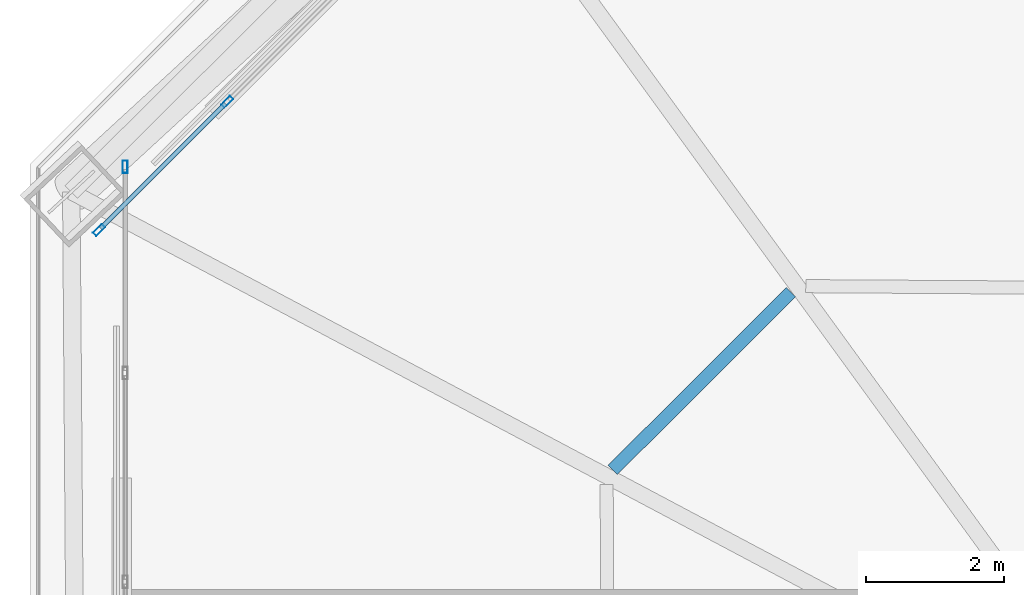
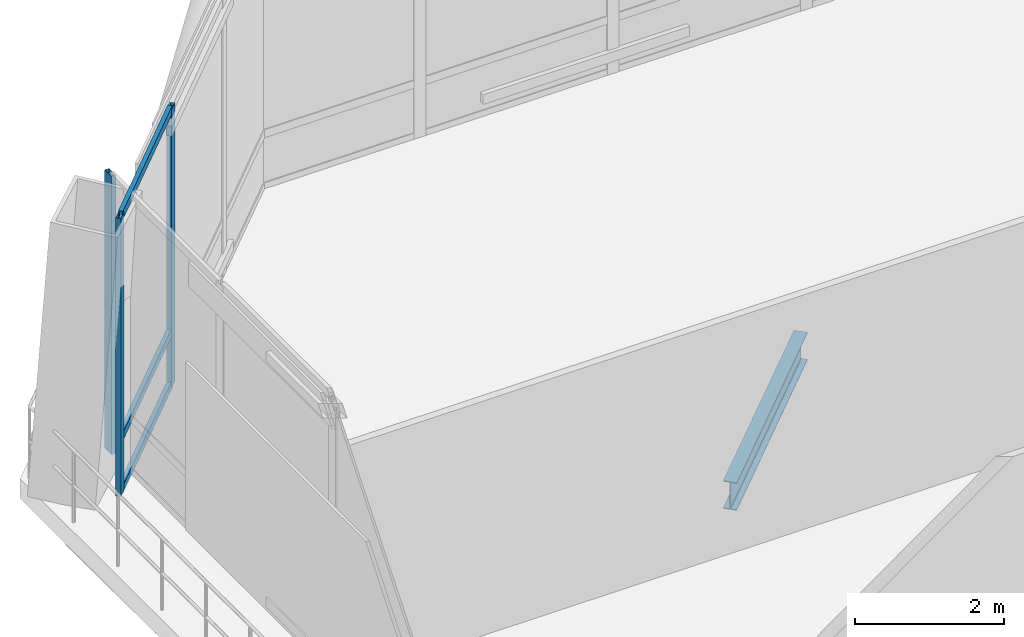
# One storey, part 31 of 48: 6 members, 1 beam, 2 elements without a shape of their own.
"""IFC4 building model written with IfcOpenShell, lengths in metres."""

from ifc_helpers import new_model, si_unit, direction, frame, origin, origin_2d, place, context, subcontext, project, spatial, hollow_rectangle, i_section, extrude, material, layer, layer_set, material_profile, profile_set, type_object, element, aggregate, save


model = new_model("IFC4")

# Units and contexts
model_context = context("Model", 3, precision=1e-05, world=origin(), true_north=direction((0.0, 1.0)))
body_context = subcontext(model_context, "Body", "Model", "MODEL_VIEW")
ifc_project = project(units=[si_unit("LENGTHUNIT", "METRE"), si_unit("AREAUNIT", "SQUARE_METRE"), si_unit("VOLUMEUNIT", "CUBIC_METRE"), si_unit("PLANEANGLEUNIT", "RADIAN"), si_unit("MASSUNIT", "GRAM", prefix="KILO")], contexts=[model_context])

# Site, building, storey
site_placement = place(None, origin())
site = spatial("IfcSite", under=ifc_project, at=site_placement, CompositionType="ELEMENT")
building_placement = place(site_placement, origin())
building = spatial("IfcBuilding", under=site, at=building_placement, Name="Caelvoria Tower", CompositionType="ELEMENT")
storey_placement = place(building_placement, frame((0.0, 0.0, 90.39990234375)))
storey = spatial("IfcBuildingStorey", under=building, at=storey_placement, Name="L23", CompositionType="ELEMENT", Elevation=90.39990234375)

# Curtain wall, members
ifc_material_1 = material(Name="Anodised Bronze Aluminium and Low-E Glass", Category="aluminium")
ifc_layer = layer(ifc_material_1, 0.2099609375, Name="Anodised Bronze Aluminium and Low-E Glass")
ifc_layer_set = layer_set([ifc_layer], Name="CW System 3 Sky Lobby Double-Height Acoustic Facade - Anodised Bronze Aluminium and Low-E Glass")
curtain_wall_type = type_object("IfcCurtainWallType", Name="CW System 3 Sky Lobby Double-Height Acoustic Facade", PredefinedType="NOTDEFINED", material=ifc_layer_set)
curtain_wall_1_placement = place(storey_placement, origin())
curtain_wall_1 = element("IfcCurtainWall", 1, at=curtain_wall_1_placement, inside=storey, type_object=curtain_wall_type, Name="CW-03 Curtain Wall L23-E5", PredefinedType="NOTDEFINED")
ifc_material_2 = material(Name="Anodised Bronze Architectural Aluminium", Category="aluminium")
ifc_material_profile_1 = material_profile(ifc_material_2, hollow_rectangle(XDim=0.070068359375, YDim=0.179931640625, WallThickness=0.00390625, at=origin_2d()), Name="Anodised Bronze Architectural Aluminium")
ifc_profile_set_1 = profile_set([ifc_material_profile_1], Name="CW_MULL_70X180 - Anodised Bronze Architectural Aluminium")
member_type_1 = type_object("IfcMemberType", Name="Curtain Wall Mullion 70x180 Bronze Aluminium", PredefinedType="MULLION", material=ifc_profile_set_1)
member_1_placement = place(storey_placement, frame((23.742431640625, 49.540771484375, 0.0), z_axis=(0.0, 0.0, 1.0), x_axis=(0.707106781187, -0.707106781187, 0.0)))
member_1 = element("IfcMember", 2, at=member_1_placement, type_object=member_type_1, Name="CW-03 mullion 3", PredefinedType="MULLION", context=body_context, shape_type="SweptSolid", body=[
    extrude(hollow_rectangle(XDim=0.070068359375, YDim=0.179931640625, WallThickness=0.00390625, at=origin_2d()), origin(), (0.0, 0.0, 1.0), 4.56005859375),
])
member_2_placement = place(storey_placement, frame((21.8837890625, 47.68212890625, 0.0), z_axis=(0.0, 0.0, 1.0), x_axis=(0.707106781187, -0.707106781187, 0.0)))
member_2 = element("IfcMember", 3, at=member_2_placement, type_object=member_type_1, Name="CW-03 mullion 4", PredefinedType="MULLION", context=body_context, shape_type="SweptSolid", body=[
    extrude(hollow_rectangle(XDim=0.070068359375, YDim=0.179931640625, WallThickness=0.00390625, at=origin_2d()), origin(), (0.0, 0.0, 1.0), 4.56005859375),
])

# Curtain wall, member
curtain_wall_2_placement = place(storey_placement, origin())
curtain_wall_2 = element("IfcCurtainWall", 4, at=curtain_wall_2_placement, inside=storey, type_object=curtain_wall_type, Name="CW-03 Curtain Wall L23-E6", PredefinedType="NOTDEFINED")
member_3_placement = place(storey_placement, frame((22.26318359375, 48.598388671875, 0.0), z_axis=(0.0, 0.0, 1.0), x_axis=(1.0, 0.0, 0.0)))
member_3 = element("IfcMember", 5, at=member_3_placement, type_object=member_type_1, Name="CW-03 mullion 1", PredefinedType="MULLION", context=body_context, shape_type="SweptSolid", body=[
    extrude(hollow_rectangle(XDim=0.070068359375, YDim=0.179931640625, WallThickness=0.00390625, at=origin_2d()), origin(), (0.0, 0.0, 1.0), 4.56005859375),
])
aggregate(curtain_wall_2, [member_3])

# Member
ifc_material_profile_2 = material_profile(ifc_material_2, hollow_rectangle(XDim=0.06494140625, YDim=0.1298828125, WallThickness=0.00341796875, at=origin_2d()), Name="Anodised Bronze Architectural Aluminium")
ifc_profile_set_2 = profile_set([ifc_material_profile_2], Name="CW_TRAN_65X130 - Anodised Bronze Architectural Aluminium")
member_type_2 = type_object("IfcMemberType", Name="Curtain Wall Transom 65x130 Bronze Aluminium", PredefinedType="USERDEFINED", material=ifc_profile_set_2)
member_4_placement = place(storey_placement, frame((23.7177734375, 49.51611328125, 0.03271484375), z_axis=(-0.707106781187, -0.707106781187, 0.0), x_axis=(0.707106781187, -0.707106781187, 0.0)))
member_4 = element("IfcMember", 6, at=member_4_placement, type_object=member_type_2, Name="CW-03 transom 3.1", ObjectType="TRANSOM", PredefinedType="USERDEFINED", context=body_context, shape_type="SweptSolid", body=[
    extrude(hollow_rectangle(XDim=0.06494140625, YDim=0.1298828125, WallThickness=0.00341796875, at=origin_2d()), origin(), (0.0, 0.0, 1.0), 2.558349609375),
])

member_5_placement = place(storey_placement, frame((23.7177734375, 49.51611328125, 0.900146484375), z_axis=(-0.707106781187, -0.707106781187, 0.0), x_axis=(0.707106781187, -0.707106781187, 0.0)))
member_5 = element("IfcMember", 7, at=member_5_placement, type_object=member_type_2, Name="CW-03 transom 3.2", ObjectType="TRANSOM", PredefinedType="USERDEFINED", context=body_context, shape_type="SweptSolid", body=[
    extrude(hollow_rectangle(XDim=0.06494140625, YDim=0.1298828125, WallThickness=0.00341796875, at=origin_2d()), origin(), (0.0, 0.0, 1.0), 2.558349609375),
])

member_6_placement = place(storey_placement, frame((23.7177734375, 49.51611328125, 4.527587890625), z_axis=(-0.707106781187, -0.707106781187, 0.0), x_axis=(0.707106781187, -0.707106781187, 0.0)))
member_6 = element("IfcMember", 8, at=member_6_placement, type_object=member_type_2, Name="CW-03 transom 3.3", ObjectType="TRANSOM", PredefinedType="USERDEFINED", context=body_context, shape_type="SweptSolid", body=[
    extrude(hollow_rectangle(XDim=0.06494140625, YDim=0.1298828125, WallThickness=0.00341796875, at=origin_2d()), origin(), (0.0, 0.0, 1.0), 2.558349609375),
])

aggregate(curtain_wall_1, [member_1, member_2, member_4, member_5, member_6])

# Beam
ifc_material_3 = material(Name="Structural Steel ASTM A992 Gr.50", Category="steel")
ifc_material_profile_3 = material_profile(ifc_material_3, i_section(OverallWidth=0.18994140625, OverallDepth=0.45703125, WebThickness=0.009033203125, FlangeThickness=0.014404296875, FilletRadius=0.014892578125, at=origin_2d()), Name="Structural Steel ASTM A992 Gr.50")
ifc_profile_set_3 = profile_set([ifc_material_profile_3], Name="W460X74 - Structural Steel ASTM A992 Gr.50")
beam_type = type_object("IfcBeamType", Name="Secondary Floor Beam W460X74", PredefinedType="BEAM", material=ifc_profile_set_3)
beam_placement = place(storey_placement, frame((31.9150390625, 46.782470703125, -0.54833984375), z_axis=(-0.708243123009, -0.705968610287, 0.0), x_axis=(0.705968610287, -0.708243123009, 0.0)))
element("IfcBeam", 9, at=beam_placement, inside=storey, type_object=beam_type, Name="Secondary Floor Beam L23-08", PredefinedType="BEAM", context=body_context, shape_type="SweptSolid", body=[
    extrude(i_section(OverallWidth=0.18994140625, OverallDepth=0.45703125, WebThickness=0.009033203125, FlangeThickness=0.014404296875, FilletRadius=0.014892578125, at=origin_2d()), origin(), (0.0, 0.0, 1.0), 3.6494140625),
])

save(model, "model.ifc")
